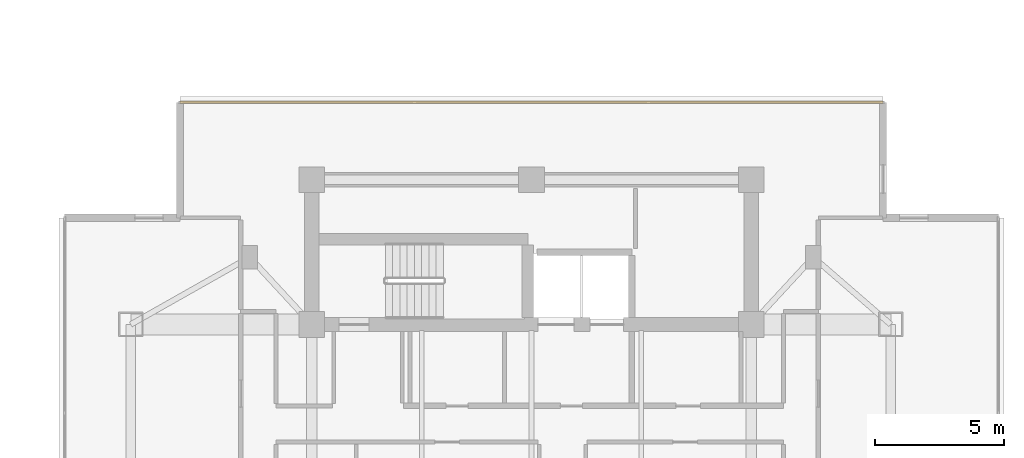
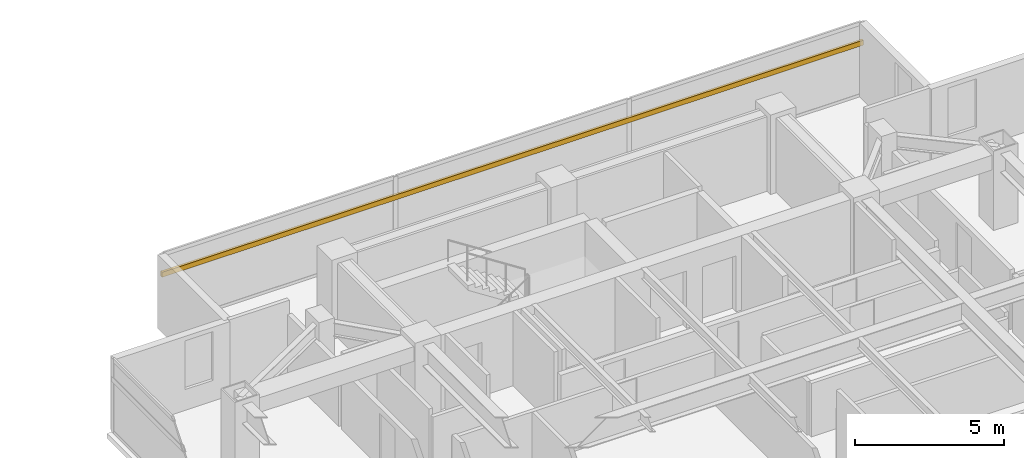
# One storey, part 25 of 25: 1 shading device.
"""IFC4 building model written with IfcOpenShell, lengths in metres."""

from ifc_helpers import new_model, si_unit, direction, frame, origin, origin_2d, place, context, subcontext, project, spatial, rectangle, extrude, material, material_profile, profile_set, type_object, element, save


model = new_model("IFC4")

# Units and contexts
model_context = context("Model", 3, precision=1e-05, world=origin(), true_north=direction((0.0, 1.0)))
body_context = subcontext(model_context, "Body", "Model", "MODEL_VIEW")
ifc_project = project(units=[si_unit("LENGTHUNIT", "METRE"), si_unit("AREAUNIT", "SQUARE_METRE"), si_unit("VOLUMEUNIT", "CUBIC_METRE"), si_unit("PLANEANGLEUNIT", "RADIAN"), si_unit("MASSUNIT", "GRAM", prefix="KILO")], contexts=[model_context])

# Site, building, storey
site_placement = place(None, origin())
site = spatial("IfcSite", under=ifc_project, at=site_placement, CompositionType="ELEMENT")
building_placement = place(site_placement, origin())
building = spatial("IfcBuilding", under=site, at=building_placement, Name="Mirazonda Arch Towers", CompositionType="ELEMENT")
storey_placement = place(building_placement, frame((0.0, 0.0, 173.89990234375)))
storey = spatial("IfcBuildingStorey", under=building, at=storey_placement, Name="L49", CompositionType="ELEMENT", Elevation=173.89990234375)

# Shading device
ifc_material = material(Name="Kiln-Fired Architectural Terracotta", Category="masonry")
ifc_material_profile = material_profile(ifc_material, rectangle(XDim=0.10009765625, YDim=0.199951171875, at=origin_2d()), Name="TERRA-BAG-100x200")
ifc_profile_set = profile_set([ifc_material_profile], Name="Kiln-Fired Architectural Terracotta")
shading_device_type = type_object("IfcShadingDeviceType", Name="BAGUETTE-2", PredefinedType="USERDEFINED", material=ifc_profile_set)
shading_device_placement = place(storey_placement, frame((62.90478515625, 43.791259765625, 2.181640625), z_axis=(1.0, 0.0, 0.0), x_axis=(0.0, 1.0, 0.0)))
element("IfcShadingDevice", 1, at=shading_device_placement, inside=storey, type_object=shading_device_type, Name="L49 Glazed Terracotta Sun-Screen Baguette CW-L49-T2-N", ObjectType="BAGUETTE", PredefinedType="USERDEFINED", context=body_context, shape_type="SweptSolid", body=[
    extrude(rectangle(XDim=0.10009765625, YDim=0.199951171875, at=origin_2d()), origin(), (0.0, 0.0, 1.0), 27.1904296875),
])

save(model, "model.ifc")
